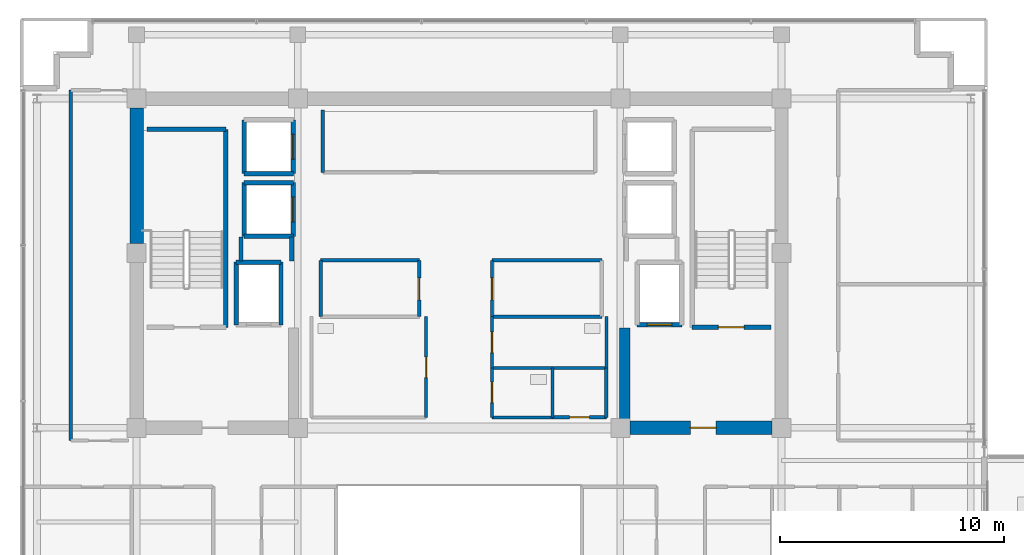
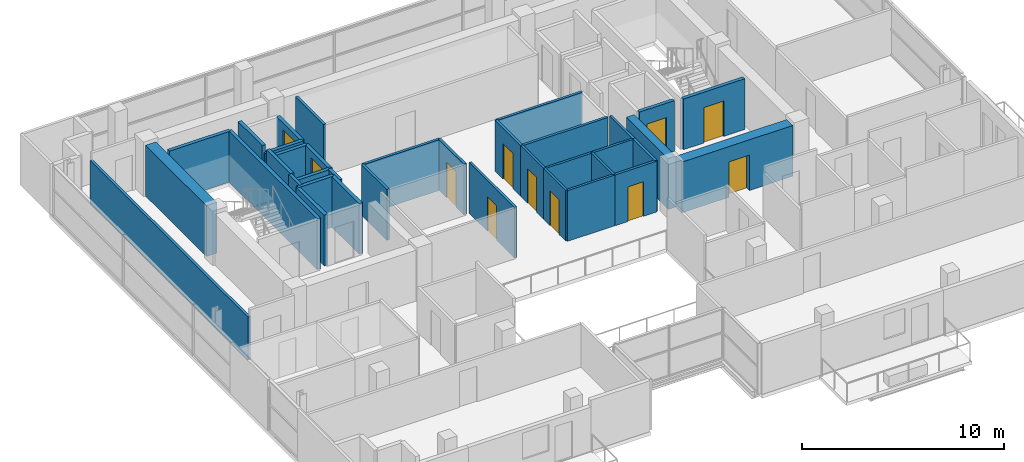
# One storey, part 16 of 22: 36 walls, 11 doors, 11 openings.
"""IFC4 building model written with IfcOpenShell, lengths in metres."""

from ifc_helpers import new_model, si_unit, direction, frame, frame_2d, origin, place, context, subcontext, project, spatial, rectangle, extrude, source, transform, mapped, material, layer, layer_set, type_object, element, fill, save


model = new_model("IFC4")

# Units and contexts
model_context = context("Model", 3, precision=1e-05, world=origin(), true_north=direction((0.0, 1.0)))
body_context = subcontext(model_context, "Body", "Model", "MODEL_VIEW")
ifc_project = project(units=[si_unit("LENGTHUNIT", "METRE"), si_unit("AREAUNIT", "SQUARE_METRE"), si_unit("VOLUMEUNIT", "CUBIC_METRE"), si_unit("PLANEANGLEUNIT", "RADIAN"), si_unit("MASSUNIT", "GRAM", prefix="KILO")], contexts=[model_context])

# Site, building, storey
site_placement = place(None, origin())
site = spatial("IfcSite", under=ifc_project, at=site_placement, CompositionType="ELEMENT")
building_placement = place(site_placement, origin())
building = spatial("IfcBuilding", under=site, at=building_placement, Name="Zarnakvel Exchange Tower", CompositionType="ELEMENT")
storey_placement = place(building_placement, frame((0.0, 0.0, 251.800048828125)))
storey = spatial("IfcBuildingStorey", under=building, at=storey_placement, Name="L71", CompositionType="ELEMENT", Elevation=251.800048828125)

# Wall
ifc_material_1 = material(Name="Concrete C50/60", Category="concrete")
ifc_layer_1 = layer(ifc_material_1, 0.60009765625)
ifc_layer_set_1 = layer_set([ifc_layer_1], Name="Concrete C50/60")
wall_type_1 = type_object("IfcWallType", Name="CW-C5", PredefinedType="SHEAR", material=ifc_layer_set_1)
wall_1_placement = place(storey_placement, frame((-14.39990234375, 7.02490234375, 0.0), z_axis=(0.0, 0.0, 1.0), x_axis=(0.0, 1.0, 0.0)))
element("IfcWall", 1, at=wall_1_placement, inside=storey, type_object=wall_type_1, Name="L71 Rear Core Shear Wall W2 (CW-C5)", PredefinedType="SHEAR", context=body_context, shape_type="SweptSolid", body=[
    extrude(rectangle(XDim=6.050048828125, YDim=0.60009765625, at=frame_2d((3.02490234375, 0.0))), origin(), (0.0, 0.0, 1.0), 3.074951171875),
])

# Wall, opening, door
wall_2_placement = place(storey_placement, frame((13.97509765625, -1.199951171875, 0.0), z_axis=(0.0, 0.0, 1.0), x_axis=(-1.0, 0.0, 0.0)))
wall_2 = element("IfcWall", 2, at=wall_2_placement, inside=storey, type_object=wall_type_1, Name="L71 Rear Core Shear Wall SE (CW-C5)", PredefinedType="SHEAR", context=body_context, shape_type="SweptSolid", body=[
    extrude(rectangle(XDim=6.35009765625, YDim=0.60009765625, at=frame_2d((3.175048828125, 0.0))), origin(), (0.0, 0.0, 1.0), 3.074951171875),
])
opening_1_placement = place(wall_2_placement, frame((2.5, 0.0, 0.0)))
opening_1 = element("IfcOpeningElement", 3, at=opening_1_placement, cuts=wall_2, Name="Opening D-L71-04", PredefinedType="OPENING", context=body_context, shape_type="SweptSolid", body=[
    extrude(rectangle(XDim=1.14990234375, YDim=2.14990234375, at=frame_2d((0.574951171875, 1.074951171875))), frame((0.0, 0.31005859375, 0.0), z_axis=(0.0, -1.0, 0.0), x_axis=(1.0, 0.0, 0.0)), (0.0, 0.0, 1.0), 0.6201171875),
])
ifc_material_2 = material(Name="Painted Galvanised Steel S355", Category="steel")
door_type_1 = type_object("IfcDoorType", Name="DT-04", OperationType="NOTDEFINED", PredefinedType="DOOR", material=ifc_material_2)
shared_shape_1 = source(origin(), body_context, "Body", "SweptSolid", [
    extrude(rectangle(XDim=1.14990234375, YDim=2.14990234375, at=frame_2d((0.574951171875, 1.074951171875))), frame((0.0, 0.02490234375, 0.0), z_axis=(0.0, -1.0, 0.0), x_axis=(1.0, 0.0, 0.0)), (0.0, 0.0, 1.0), 0.050048828125),
])
door_1_placement = place(opening_1_placement, origin())
door_1 = element("IfcDoor", 4, at=door_1_placement, inside=storey, type_object=door_type_1, Name="L71 Firefighting Lobby East Door D-L71-04", OperationType="SINGLE_SWING_RIGHT", OverallHeight=2.14990234375, OverallWidth=1.14990234375, PredefinedType="DOOR", context=body_context, shape_type="MappedRepresentation", body=[
    mapped(shared_shape_1, transform((0.0, 0.0, 0.0), x_axis=(1.0, 0.0, 0.0), y_axis=(0.0, 1.0, 0.0), z_axis=(0.0, 0.0, 1.0), scale=1.0)),
])
fill(opening_1, door_1)

# Walls
ifc_layer_2 = layer(ifc_material_1, 0.449951171875)
ifc_layer_set_2 = layer_set([ifc_layer_2], Name="Concrete C50/60")
wall_type_2 = type_object("IfcWallType", Name="CW-C6", PredefinedType="SHEAR", material=ifc_layer_set_2)
wall_3_placement = place(storey_placement, frame((7.39990234375, -0.89990234375, 0.0), z_axis=(0.0, 0.0, 1.0), x_axis=(0.0, 1.0, 0.0)))
element("IfcWall", 5, at=wall_3_placement, inside=storey, type_object=wall_type_2, Name="L71 Rear Core Shear Wall IE (CW-C6)", PredefinedType="SHEAR", context=body_context, shape_type="SweptSolid", body=[
    extrude(rectangle(XDim=4.14990234375, YDim=0.449951171875, at=frame_2d((2.074951171875, 0.0))), origin(), (0.0, 0.0, 1.0), 3.074951171875),
])
ifc_material_3 = material(Name="Fire-Rated Gypsum Stud Partition", Category="gypsum")
ifc_layer_3 = layer(ifc_material_3, 0.14990234375)
ifc_layer_set_3 = layer_set([ifc_layer_3], Name="Fire-Rated Gypsum Stud Partition")
wall_type_3 = type_object("IfcWallType", Name="PT-01", PredefinedType="PARTITIONING", material=ifc_layer_set_3)
wall_4_placement = place(storey_placement, frame((-6.080078125, 10.199951171875, 0.0), z_axis=(0.0, 0.0, 1.0), x_axis=(0.0, 1.0, 0.0)))
element("IfcWall", 6, at=wall_4_placement, inside=storey, type_object=wall_type_3, Name="L71 Partition Wall PWALL-L71-012 (PT-01)", PredefinedType="PARTITIONING", context=body_context, shape_type="SweptSolid", body=[
    extrude(rectangle(XDim=2.800048828125, YDim=0.14990234375, at=frame_2d((1.39990234375, 0.0))), origin(), (0.0, 0.0, 1.0), 3.074951171875),
])
wall_5_placement = place(storey_placement, frame((-6.179931640625, 6.280029296875, 0.0), z_axis=(0.0, 0.0, 1.0), x_axis=(1.0, 0.0, 0.0)))
element("IfcWall", 7, at=wall_5_placement, inside=storey, type_object=wall_type_3, Name="L71 Partition Wall PWALL-L71-015 (PT-01)", PredefinedType="PARTITIONING", context=body_context, shape_type="SweptSolid", body=[
    extrude(rectangle(XDim=4.409912109375, YDim=0.14990234375, at=frame_2d((2.205078125, 0.0))), origin(), (0.0, 0.0, 1.0), 3.074951171875),
])
wall_6_placement = place(storey_placement, frame((-6.179931640625, 3.760009765625, 0.0), z_axis=(0.0, 0.0, 1.0), x_axis=(0.0, 1.0, 0.0)))
element("IfcWall", 8, at=wall_6_placement, inside=storey, type_object=wall_type_3, Name="L71 Partition Wall PWALL-L71-016 (PT-01)", PredefinedType="PARTITIONING", context=body_context, shape_type="SweptSolid", body=[
    extrude(rectangle(XDim=2.52001953125, YDim=0.14990234375, at=frame_2d((1.260009765625, 0.0))), origin(), (0.0, 0.0, 1.0), 3.074951171875),
])

# Wall, opening, door
wall_7_placement = place(storey_placement, frame((-1.77001953125, 6.280029296875, 0.0), z_axis=(0.0, 0.0, 1.0), x_axis=(0.0, -1.0, 0.0)))
wall_7 = element("IfcWall", 9, at=wall_7_placement, inside=storey, type_object=wall_type_3, Name="L71 Partition Wall PWALL-L71-017 (PT-01)", PredefinedType="PARTITIONING", context=body_context, shape_type="SweptSolid", body=[
    extrude(rectangle(XDim=2.52001953125, YDim=0.14990234375, at=frame_2d((1.260009765625, 0.0))), origin(), (0.0, 0.0, 1.0), 3.074951171875),
])
opening_2_placement = place(wall_7_placement, frame((0.7900390625, 0.0, 0.0)))
opening_2 = element("IfcOpeningElement", 10, at=opening_2_placement, cuts=wall_7, Name="Opening D-L71-06", PredefinedType="OPENING", context=body_context, shape_type="SweptSolid", body=[
    extrude(rectangle(XDim=0.97998046875, YDim=2.14990234375, at=frame_2d((0.489990234375, 1.074951171875))), frame((0.0, 0.0849609375, 0.0), z_axis=(0.0, -1.0, 0.0), x_axis=(1.0, 0.0, 0.0)), (0.0, 0.0, 1.0), 0.169921875),
])
ifc_material_4 = material(Name="Timber Acoustic Veneer", Category="wood")
door_type_2 = type_object("IfcDoorType", Name="DT-05", OperationType="NOTDEFINED", PredefinedType="DOOR", material=ifc_material_4)
shared_shape_2 = source(origin(), body_context, "Body", "SweptSolid", [
    extrude(rectangle(XDim=0.97998046875, YDim=2.14990234375, at=frame_2d((0.489990234375, 1.074951171875))), frame((0.0, 0.02490234375, 0.0), z_axis=(0.0, -1.0, 0.0), x_axis=(1.0, 0.0, 0.0)), (0.0, 0.0, 1.0), 0.050048828125),
])
door_2_placement = place(opening_2_placement, origin())
door_2 = element("IfcDoor", 11, at=door_2_placement, inside=storey, type_object=door_type_2, Name="L71 Sovereign Compliance Office Door D-L71-06", OperationType="SINGLE_SWING_RIGHT", OverallHeight=2.14990234375, OverallWidth=0.97998046875, PredefinedType="DOOR", context=body_context, shape_type="MappedRepresentation", body=[
    mapped(shared_shape_2, transform((0.0, 0.0, 0.0), x_axis=(1.0, 0.0, 0.0), y_axis=(0.0, 1.0, 0.0), z_axis=(0.0, 0.0, 1.0), scale=1.0)),
])
fill(opening_2, door_2)

# Walls
for number, where, z_axis, x_axis, name in (
    (12, (6.3798828125, 3.760009765625, 0.0), (0.0, 0.0, 1.0), (-1.0, 0.0, 0.0), "L71 Partition Wall PWALL-L71-018 (PT-01)"),
    (13, (1.469970703125, 6.280029296875, 0.0), (0.0, 0.0, 1.0), (1.0, 0.0, 0.0), "L71 Partition Wall PWALL-L71-019 (PT-01)"),
):
    element("IfcWall", number, at=place(storey_placement, frame(where, z_axis=z_axis, x_axis=x_axis)), inside=storey, type_object=wall_type_3, Name=name, PredefinedType="PARTITIONING", context=body_context, shape_type="SweptSolid", body=[
        extrude(rectangle(XDim=4.909912109375, YDim=0.14990234375, at=frame_2d((2.455078125, 0.0))), origin(), (0.0, 0.0, 1.0), 3.074951171875),
    ])

# Wall, opening, door
wall_8_placement = place(storey_placement, frame((1.469970703125, 3.760009765625, 0.0), z_axis=(0.0, 0.0, 1.0), x_axis=(0.0, 1.0, 0.0)))
wall_8 = element("IfcWall", 14, at=wall_8_placement, inside=storey, type_object=wall_type_3, Name="L71 Partition Wall PWALL-L71-020 (PT-01)", PredefinedType="PARTITIONING", context=body_context, shape_type="SweptSolid", body=[
    extrude(rectangle(XDim=2.52001953125, YDim=0.14990234375, at=frame_2d((1.260009765625, 0.0))), origin(), (0.0, 0.0, 1.0), 3.074951171875),
])
opening_3_placement = place(wall_8_placement, frame((0.75, 0.0, 0.0)))
opening_3 = element("IfcOpeningElement", 15, at=opening_3_placement, cuts=wall_8, Name="Opening D-L71-07", PredefinedType="OPENING", context=body_context, shape_type="SweptSolid", body=[
    extrude(rectangle(XDim=0.97998046875, YDim=2.14990234375, at=frame_2d((0.489990234375, 1.074951171875))), frame((0.0, 0.0849609375, 0.0), z_axis=(0.0, -1.0, 0.0), x_axis=(1.0, 0.0, 0.0)), (0.0, 0.0, 1.0), 0.169921875),
])
door_3_placement = place(opening_3_placement, origin())
door_3 = element("IfcDoor", 16, at=door_3_placement, inside=storey, type_object=door_type_2, Name="L71 Depository Legal Office Door D-L71-07", OperationType="SINGLE_SWING_LEFT", OverallHeight=2.14990234375, OverallWidth=0.97998046875, PredefinedType="DOOR", context=body_context, shape_type="MappedRepresentation", body=[
    mapped(shared_shape_2, transform((0.0, 0.0, 0.0), x_axis=(1.0, 0.0, 0.0), y_axis=(0.0, 1.0, 0.0), z_axis=(0.0, 0.0, 1.0), scale=1.0)),
])
fill(opening_3, door_3)

wall_9_placement = place(storey_placement, frame((6.580078125, -0.72998046875, 0.0), z_axis=(0.0, 0.0, 1.0), x_axis=(-1.0, 0.0, 0.0)))
wall_9 = element("IfcWall", 17, at=wall_9_placement, inside=storey, type_object=wall_type_3, Name="L71 Partition Wall PWALL-L71-031 (PT-01)", PredefinedType="PARTITIONING", context=body_context, shape_type="SweptSolid", body=[
    extrude(rectangle(XDim=2.400146484375, YDim=0.14990234375, at=frame_2d((1.2001953125, 0.0))), origin(), (0.0, 0.0, 1.0), 3.074951171875),
])
opening_4_placement = place(wall_9_placement, frame((0.760009765625, 0.0, 0.0)))
opening_4 = element("IfcOpeningElement", 18, at=opening_4_placement, cuts=wall_9, Name="Opening D-L71-11", PredefinedType="OPENING", context=body_context, shape_type="SweptSolid", body=[
    extrude(rectangle(XDim=0.8798828125, YDim=2.10009765625, at=frame_2d((0.43994140625, 1.050048828125))), frame((0.0, 0.0849609375, 0.0), z_axis=(0.0, -1.0, 0.0), x_axis=(1.0, 0.0, 0.0)), (0.0, 0.0, 1.0), 0.169921875),
])
door_type_3 = type_object("IfcDoorType", Name="DT-08", OperationType="NOTDEFINED", PredefinedType="DOOR", material=ifc_material_2)
shared_shape_3 = source(origin(), body_context, "Body", "SweptSolid", [
    extrude(rectangle(XDim=0.8798828125, YDim=2.10009765625, at=frame_2d((0.43994140625, 1.050048828125))), frame((0.0, 0.02490234375, 0.0), z_axis=(0.0, -1.0, 0.0), x_axis=(1.0, 0.0, 0.0)), (0.0, 0.0, 1.0), 0.050048828125),
])
door_4_placement = place(opening_4_placement, origin())
door_4 = element("IfcDoor", 19, at=door_4_placement, inside=storey, type_object=door_type_3, Name="L71 Cleaners Store Door D-L71-11", OperationType="SINGLE_SWING_LEFT", OverallHeight=2.10009765625, OverallWidth=0.8798828125, PredefinedType="DOOR", context=body_context, shape_type="MappedRepresentation", body=[
    mapped(shared_shape_3, transform((0.0, 0.0, 0.0), x_axis=(1.0, 0.0, 0.0), y_axis=(0.0, 1.0, 0.0), z_axis=(0.0, 0.0, 1.0), scale=1.0)),
])
fill(opening_4, door_4)

# Walls
wall_10_placement = place(storey_placement, frame((6.580078125, 1.47998046875, 0.0), z_axis=(0.0, 0.0, 1.0), x_axis=(0.0, -1.0, 0.0)))
element("IfcWall", 20, at=wall_10_placement, inside=storey, type_object=wall_type_3, Name="L71 Partition Wall PWALL-L71-032 (PT-01)", PredefinedType="PARTITIONING", context=body_context, shape_type="SweptSolid", body=[
    extrude(rectangle(XDim=2.2099609375, YDim=0.14990234375, at=frame_2d((1.10498046875, 0.0))), origin(), (0.0, 0.0, 1.0), 3.074951171875),
])
wall_11_placement = place(storey_placement, frame((-17.3349609375, -1.77001953125, 0.0), z_axis=(0.0, 0.0, 1.0), x_axis=(0.0, 1.0, 0.0)))
element("IfcWall", 21, at=wall_11_placement, inside=storey, type_object=wall_type_3, Name="L71 Partition Wall PWALL-L71-071 (PT-01)", PredefinedType="PARTITIONING", context=body_context, shape_type="SweptSolid", body=[
    extrude(rectangle(XDim=15.64990234375, YDim=0.14990234375, at=frame_2d((7.824951171875, 0.0))), origin(), (0.0, 0.0, 1.0), 2.614990234375),
])
ifc_layer_4 = layer(ifc_material_3, 0.179931640625)
ifc_layer_set_4 = layer_set([ifc_layer_4], Name="Fire-Rated Gypsum Stud Partition")
wall_type_4 = type_object("IfcWallType", Name="PT-02", PredefinedType="PARTITIONING", material=ifc_layer_set_4)
wall_12_placement = place(storey_placement, frame((-9.72998046875, 6.239990234375, 0.0), z_axis=(0.0, 0.0, 1.0), x_axis=(0.0, 1.0, 0.0)))
element("IfcWall", 22, at=wall_12_placement, inside=storey, type_object=wall_type_4, Name="L71 Partition Wall PWALL-L71-007 (PT-02)", PredefinedType="PARTITIONING", context=body_context, shape_type="SweptSolid", body=[
    extrude(rectangle(XDim=1.090087890625, YDim=0.179931640625, at=frame_2d((0.544921875, 0.0))), origin(), (0.0, 0.0, 1.0), 3.074951171875),
])
wall_13_placement = place(storey_placement, frame((-7.469970703125, 7.330078125, 0.0), z_axis=(0.0, 0.0, 1.0), x_axis=(0.0, -1.0, 0.0)))
element("IfcWall", 23, at=wall_13_placement, inside=storey, type_object=wall_type_4, Name="L71 Partition Wall PWALL-L71-008 (PT-02)", PredefinedType="PARTITIONING", context=body_context, shape_type="SweptSolid", body=[
    extrude(rectangle(XDim=1.090087890625, YDim=0.179931640625, at=frame_2d((0.544921875, 0.0))), origin(), (0.0, 0.0, 1.0), 2.614990234375),
])

# Wall, opening, door
ifc_material_5 = material(Name="Moisture-Resistant Tile-Faced Partition", Category="gypsum")
ifc_layer_5 = layer(ifc_material_5, 0.135009765625)
ifc_layer_set_5 = layer_set([ifc_layer_5], Name="Moisture-Resistant Tile-Faced Partition")
wall_type_5 = type_object("IfcWallType", Name="PT-03", PredefinedType="PARTITIONING", material=ifc_layer_set_5)
wall_14_placement = place(storey_placement, frame((-1.469970703125, 3.760009765625, 0.0), z_axis=(0.0, 0.0, 1.0), x_axis=(0.0, -1.0, 0.0)))
wall_14 = element("IfcWall", 24, at=wall_14_placement, inside=storey, type_object=wall_type_5, Name="L71 Partition Wall PWALL-L71-024 (PT-03)", PredefinedType="PARTITIONING", context=body_context, shape_type="SweptSolid", body=[
    extrude(rectangle(XDim=4.489990234375, YDim=0.135009765625, at=frame_2d((2.2451171875, 0.0))), origin(), (0.0, 0.0, 1.0), 3.074951171875),
])
opening_5_placement = place(wall_14_placement, frame((1.800048828125, 0.0, 0.0)))
opening_5 = element("IfcOpeningElement", 25, at=opening_5_placement, cuts=wall_14, Name="Opening D-L71-08", PredefinedType="OPENING", context=body_context, shape_type="SweptSolid", body=[
    extrude(rectangle(XDim=0.919921875, YDim=2.10009765625, at=frame_2d((0.4599609375, 1.050048828125))), frame((0.0, 0.077392578125, 0.0), z_axis=(0.0, -1.0, 0.0), x_axis=(1.0, 0.0, 0.0)), (0.0, 0.0, 1.0), 0.155029296875),
])
ifc_material_6 = material(Name="Moisture-Resistant Laminate Timber", Category="wood")
door_type_4 = type_object("IfcDoorType", Name="DT-07", OperationType="NOTDEFINED", PredefinedType="DOOR", material=ifc_material_6)
shared_shape_4 = source(origin(), body_context, "Body", "SweptSolid", [
    extrude(rectangle(XDim=0.919921875, YDim=2.10009765625, at=frame_2d((0.4599609375, 1.050048828125))), frame((0.0, 0.02490234375, 0.0), z_axis=(0.0, -1.0, 0.0), x_axis=(1.0, 0.0, 0.0)), (0.0, 0.0, 1.0), 0.050048828125),
])
door_5_placement = place(opening_5_placement, origin())
door_5 = element("IfcDoor", 26, at=door_5_placement, inside=storey, type_object=door_type_4, Name="L71 Male Toilet Door D-L71-08", OperationType="SINGLE_SWING_RIGHT", OverallHeight=2.10009765625, OverallWidth=0.919921875, PredefinedType="DOOR", context=body_context, shape_type="MappedRepresentation", body=[
    mapped(shared_shape_4, transform((0.0, 0.0, 0.0), x_axis=(1.0, 0.0, 0.0), y_axis=(0.0, 1.0, 0.0), z_axis=(0.0, 0.0, 1.0), scale=1.0)),
])
fill(opening_5, door_5)

# Wall
wall_15_placement = place(storey_placement, frame((6.580078125, 1.47998046875, 0.0), z_axis=(0.0, 0.0, 1.0), x_axis=(-1.0, 0.0, 0.0)))
element("IfcWall", 27, at=wall_15_placement, inside=storey, type_object=wall_type_5, Name="L71 Partition Wall PWALL-L71-025 (PT-03)", PredefinedType="PARTITIONING", context=body_context, shape_type="SweptSolid", body=[
    extrude(rectangle(XDim=5.110107421875, YDim=0.135009765625, at=frame_2d((2.55517578125, 0.0))), origin(), (0.0, 0.0, 1.0), 3.074951171875),
])

# Wall, opening, door
wall_16_placement = place(storey_placement, frame((1.469970703125, 1.47998046875, 0.0), z_axis=(0.0, 0.0, 1.0), x_axis=(0.0, 1.0, 0.0)))
wall_16 = element("IfcWall", 28, at=wall_16_placement, inside=storey, type_object=wall_type_5, Name="L71 Partition Wall PWALL-L71-026 (PT-03)", PredefinedType="PARTITIONING", context=body_context, shape_type="SweptSolid", body=[
    extrude(rectangle(XDim=2.280029296875, YDim=0.135009765625, at=frame_2d((1.14013671875, 0.0))), origin(), (0.0, 0.0, 1.0), 3.074951171875),
])
opening_6_placement = place(wall_16_placement, frame((0.679931640625, 0.0, 0.0)))
opening_6 = element("IfcOpeningElement", 29, at=opening_6_placement, cuts=wall_16, Name="Opening D-L71-09", PredefinedType="OPENING", context=body_context, shape_type="SweptSolid", body=[
    extrude(rectangle(XDim=0.919921875, YDim=2.10009765625, at=frame_2d((0.4599609375, 1.050048828125))), frame((0.0, 0.077392578125, 0.0), z_axis=(0.0, -1.0, 0.0), x_axis=(1.0, 0.0, 0.0)), (0.0, 0.0, 1.0), 0.155029296875),
])
door_6_placement = place(opening_6_placement, origin())
door_6 = element("IfcDoor", 30, at=door_6_placement, inside=storey, type_object=door_type_4, Name="L71 Female Toilet Door D-L71-09", OperationType="SINGLE_SWING_LEFT", OverallHeight=2.10009765625, OverallWidth=0.919921875, PredefinedType="DOOR", context=body_context, shape_type="MappedRepresentation", body=[
    mapped(shared_shape_4, transform((0.0, 0.0, 0.0), x_axis=(1.0, 0.0, 0.0), y_axis=(0.0, 1.0, 0.0), z_axis=(0.0, 0.0, 1.0), scale=1.0)),
])
fill(opening_6, door_6)

# Walls
wall_17_placement = place(storey_placement, frame((6.580078125, 3.760009765625, 0.0), z_axis=(0.0, 0.0, 1.0), x_axis=(0.0, -1.0, 0.0)))
element("IfcWall", 31, at=wall_17_placement, inside=storey, type_object=wall_type_5, Name="L71 Partition Wall PWALL-L71-027 (PT-03)", PredefinedType="PARTITIONING", context=body_context, shape_type="SweptSolid", body=[
    extrude(rectangle(XDim=2.280029296875, YDim=0.135009765625, at=frame_2d((1.14013671875, 0.0))), origin(), (0.0, 0.0, 1.0), 3.074951171875),
])
wall_18_placement = place(storey_placement, frame((4.179931640625, -0.72998046875, 0.0), z_axis=(0.0, 0.0, 1.0), x_axis=(-1.0, 0.0, 0.0)))
element("IfcWall", 32, at=wall_18_placement, inside=storey, type_object=wall_type_5, Name="L71 Partition Wall PWALL-L71-028 (PT-03)", PredefinedType="PARTITIONING", context=body_context, shape_type="SweptSolid", body=[
    extrude(rectangle(XDim=2.7099609375, YDim=0.135009765625, at=frame_2d((1.35498046875, 0.0))), origin(), (0.0, 0.0, 1.0), 3.074951171875),
])

# Wall, opening, door
wall_19_placement = place(storey_placement, frame((1.469970703125, -0.72998046875, 0.0), z_axis=(0.0, 0.0, 1.0), x_axis=(0.0, 1.0, 0.0)))
wall_19 = element("IfcWall", 33, at=wall_19_placement, inside=storey, type_object=wall_type_5, Name="L71 Partition Wall PWALL-L71-029 (PT-03)", PredefinedType="PARTITIONING", context=body_context, shape_type="SweptSolid", body=[
    extrude(rectangle(XDim=2.2099609375, YDim=0.135009765625, at=frame_2d((1.10498046875, 0.0))), origin(), (0.0, 0.0, 1.0), 3.074951171875),
])
opening_7_placement = place(wall_19_placement, frame((0.64990234375, 0.0, 0.0)))
opening_7 = element("IfcOpeningElement", 34, at=opening_7_placement, cuts=wall_19, Name="Opening D-L71-10", PredefinedType="OPENING", context=body_context, shape_type="SweptSolid", body=[
    extrude(rectangle(XDim=0.919921875, YDim=2.10009765625, at=frame_2d((0.4599609375, 1.050048828125))), frame((0.0, 0.077392578125, 0.0), z_axis=(0.0, -1.0, 0.0), x_axis=(1.0, 0.0, 0.0)), (0.0, 0.0, 1.0), 0.155029296875),
])
door_7_placement = place(opening_7_placement, origin())
door_7 = element("IfcDoor", 35, at=door_7_placement, inside=storey, type_object=door_type_4, Name="L71 Accessible Toilet Door D-L71-10", OperationType="SINGLE_SWING_RIGHT", OverallHeight=2.10009765625, OverallWidth=0.919921875, PredefinedType="DOOR", context=body_context, shape_type="MappedRepresentation", body=[
    mapped(shared_shape_4, transform((0.0, 0.0, 0.0), x_axis=(1.0, 0.0, 0.0), y_axis=(0.0, 1.0, 0.0), z_axis=(0.0, 0.0, 1.0), scale=1.0)),
])
fill(opening_7, door_7)

# Walls
wall_20_placement = place(storey_placement, frame((4.179931640625, 1.47998046875, 0.0), z_axis=(0.0, 0.0, 1.0), x_axis=(0.0, -1.0, 0.0)))
element("IfcWall", 36, at=wall_20_placement, inside=storey, type_object=wall_type_5, Name="L71 Partition Wall PWALL-L71-030 (PT-03)", PredefinedType="PARTITIONING", context=body_context, shape_type="SweptSolid", body=[
    extrude(rectangle(XDim=2.2099609375, YDim=0.135009765625, at=frame_2d((1.10498046875, 0.0))), origin(), (0.0, 0.0, 1.0), 3.074951171875),
])
ifc_material_7 = material(Name="Concrete C40/50", Category="concrete")
ifc_layer_6 = layer(ifc_material_7, 0.199951171875)
ifc_layer_set_6 = layer_set([ifc_layer_6], Name="Concrete C40/50")
wall_type_6 = type_object("IfcWallType", Name="SW-01", PredefinedType="SOLIDWALL", material=ifc_layer_set_6)
wall_21_placement = place(storey_placement, frame((-9.949951171875, 6.199951171875, 0.0), z_axis=(0.0, 0.0, 1.0), x_axis=(1.0, 0.0, 0.0)))
element("IfcWall", 37, at=wall_21_placement, inside=storey, type_object=wall_type_6, Name="L71 FL-01 Hoistway Wall North", PredefinedType="SOLIDWALL", context=body_context, shape_type="SweptSolid", body=[
    extrude(rectangle(XDim=2.0, YDim=0.199951171875, at=frame_2d((1.0, 0.0))), origin(), (0.0, 0.0, 1.0), 3.074951171875),
])
for number, where, z_axis, x_axis, name in (
    (38, (-9.949951171875, 3.39990234375, 0.0), (0.0, 0.0, 1.0), (0.0, 1.0, 0.0), "L71 FL-01 Hoistway Wall West"),
    (39, (-7.949951171875, 6.199951171875, 0.0), (0.0, 0.0, 1.0), (0.0, -1.0, 0.0), "L71 FL-01 Hoistway Wall East"),
):
    element("IfcWall", number, at=place(storey_placement, frame(where, z_axis=z_axis, x_axis=x_axis)), inside=storey, type_object=wall_type_6, Name=name, PredefinedType="SOLIDWALL", context=body_context, shape_type="SweptSolid", body=[
        extrude(rectangle(XDim=2.800048828125, YDim=0.199951171875, at=frame_2d((1.39990234375, 0.0))), origin(), (0.0, 0.0, 1.0), 3.074951171875),
    ])

# Wall, opening, door
wall_22_placement = place(storey_placement, frame((9.949951171875, 3.39990234375, 0.0), z_axis=(0.0, 0.0, 1.0), x_axis=(-1.0, 0.0, 0.0)))
wall_22 = element("IfcWall", 40, at=wall_22_placement, inside=storey, type_object=wall_type_6, Name="L71 FL-02 Hoistway Wall South", PredefinedType="SOLIDWALL", context=body_context, shape_type="SweptSolid", body=[
    extrude(rectangle(XDim=2.0, YDim=0.199951171875, at=frame_2d((1.0, 0.0))), origin(), (0.0, 0.0, 1.0), 3.074951171875),
])
opening_8_placement = place(wall_22_placement, frame((0.449951171875, 0.0, 0.0)))
opening_8 = element("IfcOpeningElement", 41, at=opening_8_placement, cuts=wall_22, Name="Opening LD-FL-02-L71", PredefinedType="OPENING", context=body_context, shape_type="SweptSolid", body=[
    extrude(rectangle(XDim=1.10009765625, YDim=2.199951171875, at=frame_2d((0.550048828125, 1.10009765625))), frame((0.0, 0.10986328125, 0.0), z_axis=(0.0, -1.0, 0.0), x_axis=(1.0, 0.0, 0.0)), (0.0, 0.0, 1.0), 0.219970703125),
])
ifc_material_8 = material(Name="Brushed Stainless Steel", Category="steel")
door_type_5 = type_object("IfcDoorType", Name="LDT-01", OperationType="NOTDEFINED", PredefinedType="DOOR", material=ifc_material_8)
shared_shape_5 = source(origin(), body_context, "Body", "SweptSolid", [
    extrude(rectangle(XDim=1.10009765625, YDim=2.199951171875, at=frame_2d((0.550048828125, 1.10009765625))), frame((0.0, 0.02490234375, 0.0), z_axis=(0.0, -1.0, 0.0), x_axis=(1.0, 0.0, 0.0)), (0.0, 0.0, 1.0), 0.050048828125),
])
door_8_placement = place(opening_8_placement, origin())
door_8 = element("IfcDoor", 42, at=door_8_placement, inside=storey, type_object=door_type_5, Name="L71 FL-02 Lift Landing Door LD-FL-02-L71", OperationType="DOUBLE_DOOR_SLIDING", OverallHeight=2.199951171875, OverallWidth=1.10009765625, PredefinedType="DOOR", context=body_context, shape_type="MappedRepresentation", body=[
    mapped(shared_shape_5, transform((0.0, 0.0, 0.0), x_axis=(1.0, 0.0, 0.0), y_axis=(0.0, 1.0, 0.0), z_axis=(0.0, 0.0, 1.0), scale=1.0)),
])
fill(opening_8, door_8)

# Walls
for number, where, z_axis, x_axis, name in (
    (43, (-7.39990234375, 7.35009765625, 0.0), (0.0, 0.0, 1.0), (-1.0, 0.0, 0.0), "L71 PL-09 Hoistway Wall South"),
    (44, (-9.60009765625, 9.75, 0.0), (0.0, 0.0, 1.0), (1.0, 0.0, 0.0), "L71 PL-09 Hoistway Wall North"),
):
    element("IfcWall", number, at=place(storey_placement, frame(where, z_axis=z_axis, x_axis=x_axis)), inside=storey, type_object=wall_type_6, Name=name, PredefinedType="SOLIDWALL", context=body_context, shape_type="SweptSolid", body=[
        extrude(rectangle(XDim=2.2001953125, YDim=0.199951171875, at=frame_2d((1.10009765625, 0.0))), origin(), (0.0, 0.0, 1.0), 2.614990234375),
    ])
wall_23_placement = place(storey_placement, frame((-9.60009765625, 7.35009765625, 0.0), z_axis=(0.0, 0.0, 1.0), x_axis=(0.0, 1.0, 0.0)))
element("IfcWall", 45, at=wall_23_placement, inside=storey, type_object=wall_type_6, Name="L71 PL-09 Hoistway Wall West", PredefinedType="SOLIDWALL", context=body_context, shape_type="SweptSolid", body=[
    extrude(rectangle(XDim=2.39990234375, YDim=0.199951171875, at=frame_2d((1.199951171875, 0.0))), origin(), (0.0, 0.0, 1.0), 3.074951171875),
])

# Wall, opening, door
wall_24_placement = place(storey_placement, frame((-7.39990234375, 9.75, 0.0), z_axis=(0.0, 0.0, 1.0), x_axis=(0.0, -1.0, 0.0)))
wall_24 = element("IfcWall", 46, at=wall_24_placement, inside=storey, type_object=wall_type_6, Name="L71 PL-09 Hoistway Wall East", PredefinedType="SOLIDWALL", context=body_context, shape_type="SweptSolid", body=[
    extrude(rectangle(XDim=2.39990234375, YDim=0.199951171875, at=frame_2d((1.199951171875, 0.0))), origin(), (0.0, 0.0, 1.0), 2.614990234375),
])
opening_9_placement = place(wall_24_placement, frame((0.64990234375, 0.0, 0.0)))
opening_9 = element("IfcOpeningElement", 47, at=opening_9_placement, cuts=wall_24, Name="Opening LD-PL-09-L71", PredefinedType="OPENING", context=body_context, shape_type="SweptSolid", body=[
    extrude(rectangle(XDim=1.10009765625, YDim=2.199951171875, at=frame_2d((0.550048828125, 1.10009765625))), frame((0.0, 0.10986328125, 0.0), z_axis=(0.0, -1.0, 0.0), x_axis=(1.0, 0.0, 0.0)), (0.0, 0.0, 1.0), 0.219970703125),
])
ifc_material_9 = material(Name="Architectural Bronze Anodised Aluminium", Category="aluminium")
door_type_6 = type_object("IfcDoorType", Name="LDT-02", OperationType="NOTDEFINED", PredefinedType="DOOR", material=ifc_material_9)
door_9_placement = place(opening_9_placement, origin())
door_9 = element("IfcDoor", 48, at=door_9_placement, inside=storey, type_object=door_type_6, Name="L71 PL-09 Lift Landing Door LD-PL-09-L71", OperationType="DOUBLE_DOOR_SLIDING", OverallHeight=2.199951171875, OverallWidth=1.10009765625, PredefinedType="DOOR", context=body_context, shape_type="MappedRepresentation", body=[
    mapped(shared_shape_5, transform((0.0, 0.0, 0.0), x_axis=(1.0, 0.0, 0.0), y_axis=(0.0, 1.0, 0.0), z_axis=(0.0, 0.0, 1.0), scale=1.0)),
])
fill(opening_9, door_9)

# Walls
wall_25_placement = place(storey_placement, frame((-7.39990234375, 10.14990234375, 0.0), z_axis=(0.0, 0.0, 1.0), x_axis=(-1.0, 0.0, 0.0)))
element("IfcWall", 49, at=wall_25_placement, inside=storey, type_object=wall_type_6, Name="L71 PL-10 Hoistway Wall South", PredefinedType="SOLIDWALL", context=body_context, shape_type="SweptSolid", body=[
    extrude(rectangle(XDim=2.2001953125, YDim=0.199951171875, at=frame_2d((1.10009765625, 0.0))), origin(), (0.0, 0.0, 1.0), 2.614990234375),
])
wall_26_placement = place(storey_placement, frame((-9.60009765625, 10.14990234375, 0.0), z_axis=(0.0, 0.0, 1.0), x_axis=(0.0, 1.0, 0.0)))
element("IfcWall", 50, at=wall_26_placement, inside=storey, type_object=wall_type_6, Name="L71 PL-10 Hoistway Wall West", PredefinedType="SOLIDWALL", context=body_context, shape_type="SweptSolid", body=[
    extrude(rectangle(XDim=2.400146484375, YDim=0.199951171875, at=frame_2d((1.2001953125, 0.0))), origin(), (0.0, 0.0, 1.0), 3.074951171875),
])

# Wall, opening, door
wall_27_placement = place(storey_placement, frame((-7.39990234375, 12.550048828125, 0.0), z_axis=(0.0, 0.0, 1.0), x_axis=(0.0, -1.0, 0.0)))
wall_27 = element("IfcWall", 51, at=wall_27_placement, inside=storey, type_object=wall_type_6, Name="L71 PL-10 Hoistway Wall East", PredefinedType="SOLIDWALL", context=body_context, shape_type="SweptSolid", body=[
    extrude(rectangle(XDim=2.400146484375, YDim=0.199951171875, at=frame_2d((1.2001953125, 0.0))), origin(), (0.0, 0.0, 1.0), 2.614990234375),
])
opening_10_placement = place(wall_27_placement, frame((0.64990234375, 0.0, 0.0)))
opening_10 = element("IfcOpeningElement", 52, at=opening_10_placement, cuts=wall_27, Name="Opening LD-PL-10-L71", PredefinedType="OPENING", context=body_context, shape_type="SweptSolid", body=[
    extrude(rectangle(XDim=1.10009765625, YDim=2.199951171875, at=frame_2d((0.550048828125, 1.10009765625))), frame((0.0, 0.10986328125, 0.0), z_axis=(0.0, -1.0, 0.0), x_axis=(1.0, 0.0, 0.0)), (0.0, 0.0, 1.0), 0.219970703125),
])
door_10_placement = place(opening_10_placement, origin())
door_10 = element("IfcDoor", 53, at=door_10_placement, inside=storey, type_object=door_type_6, Name="L71 PL-10 Lift Landing Door LD-PL-10-L71", OperationType="DOUBLE_DOOR_SLIDING", OverallHeight=2.199951171875, OverallWidth=1.10009765625, PredefinedType="DOOR", context=body_context, shape_type="MappedRepresentation", body=[
    mapped(shared_shape_5, transform((0.0, 0.0, 0.0), x_axis=(1.0, 0.0, 0.0), y_axis=(0.0, 1.0, 0.0), z_axis=(0.0, 0.0, 1.0), scale=1.0)),
])
fill(opening_10, door_10)

# Walls
ifc_layer_7 = layer(ifc_material_7, 0.199951171875)
ifc_layer_set_7 = layer_set([ifc_layer_7], Name="Concrete C40/50")
wall_type_7 = type_object("IfcWallType", Name="SW-02", PredefinedType="SOLIDWALL", material=ifc_layer_set_7)
wall_28_placement = place(storey_placement, frame((-13.929931640625, 12.1298828125, 0.0), z_axis=(0.0, 0.0, 1.0), x_axis=(1.0, 0.0, 0.0)))
element("IfcWall", 54, at=wall_28_placement, inside=storey, type_object=wall_type_7, Name="L71 Stairwell Core Wall PWALL-L71-002 (SW-02)", PredefinedType="SOLIDWALL", context=body_context, shape_type="SweptSolid", body=[
    extrude(rectangle(XDim=3.52001953125, YDim=0.199951171875, at=frame_2d((1.760009765625, 0.0))), origin(), (0.0, 0.0, 1.0), 3.074951171875),
])
wall_29_placement = place(storey_placement, frame((-10.409912109375, 12.1298828125, 0.0), z_axis=(0.0, 0.0, 1.0), x_axis=(0.0, -1.0, 0.0)))
element("IfcWall", 55, at=wall_29_placement, inside=storey, type_object=wall_type_7, Name="L71 Stairwell Core Wall PWALL-L71-003 (SW-02)", PredefinedType="SOLIDWALL", context=body_context, shape_type="SweptSolid", body=[
    extrude(rectangle(XDim=8.83984375, YDim=0.199951171875, at=frame_2d((4.419921875, 0.0))), origin(), (0.0, 0.0, 1.0), 3.074951171875),
])

# Wall, opening, door
wall_30_placement = place(storey_placement, frame((13.929931640625, 3.2900390625, 0.0), z_axis=(0.0, 0.0, 1.0), x_axis=(-1.0, 0.0, 0.0)))
wall_30 = element("IfcWall", 56, at=wall_30_placement, inside=storey, type_object=wall_type_7, Name="L71 Stairwell Core Wall PWALL-L71-004 (SW-02)", PredefinedType="SOLIDWALL", context=body_context, shape_type="SweptSolid", body=[
    extrude(rectangle(XDim=3.52001953125, YDim=0.199951171875, at=frame_2d((1.760009765625, 0.0))), origin(), (0.0, 0.0, 1.0), 3.074951171875),
])
opening_11_placement = place(wall_30_placement, frame((1.205078125, 0.0, 0.0)))
opening_11 = element("IfcOpeningElement", 57, at=opening_11_placement, cuts=wall_30, Name="Opening D-L71-02", PredefinedType="OPENING", context=body_context, shape_type="SweptSolid", body=[
    extrude(rectangle(XDim=1.14990234375, YDim=2.14990234375, at=frame_2d((0.574951171875, 1.074951171875))), frame((0.0, 0.10986328125, 0.0), z_axis=(0.0, -1.0, 0.0), x_axis=(1.0, 0.0, 0.0)), (0.0, 0.0, 1.0), 0.219970703125),
])
door_11_placement = place(opening_11_placement, origin())
door_11 = element("IfcDoor", 58, at=door_11_placement, inside=storey, type_object=door_type_1, Name="L71 Stairwell ST-02 Door D-L71-02", OperationType="SINGLE_SWING_RIGHT", OverallHeight=2.14990234375, OverallWidth=1.14990234375, PredefinedType="DOOR", context=body_context, shape_type="MappedRepresentation", body=[
    mapped(shared_shape_1, transform((0.0, 0.0, 0.0), x_axis=(1.0, 0.0, 0.0), y_axis=(0.0, 1.0, 0.0), z_axis=(0.0, 0.0, 1.0), scale=1.0)),
])
fill(opening_11, door_11)

save(model, "model.ifc")
